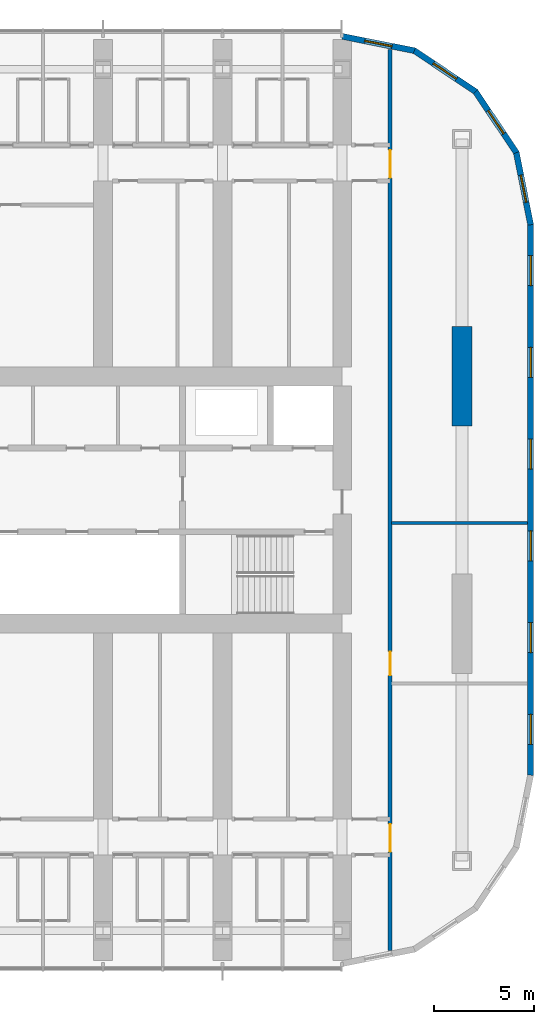
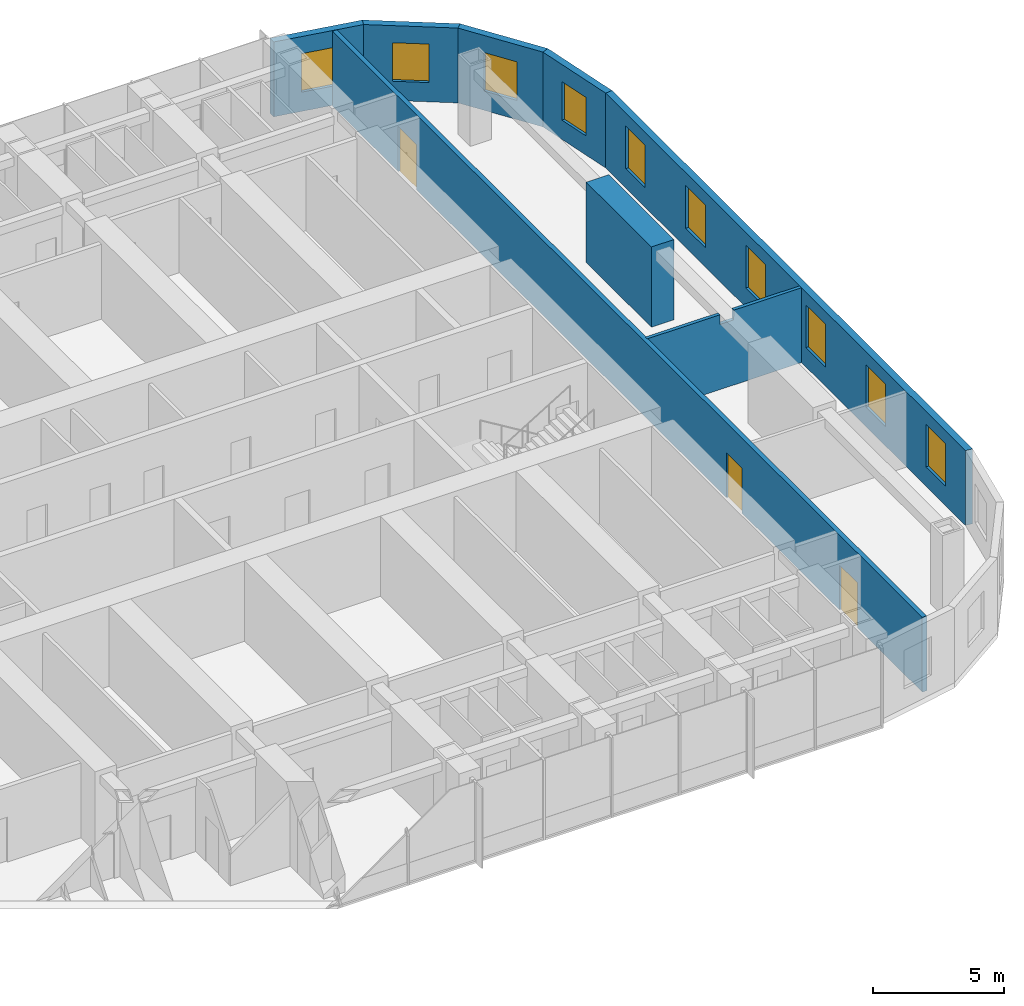
# One storey, part 17 of 22: 10 windows, 8 walls, 3 doors, 13 openings.
"""IFC4 building model written with IfcOpenShell, lengths in metres."""

from ifc_helpers import new_model, si_unit, direction, frame, frame_2d, origin, place, context, subcontext, project, spatial, polyline, rectangle, outline, extrude, material, layer, layer_set, type_object, element, fill, save


model = new_model("IFC4")

# Units and contexts
model_context = context("Model", 3, precision=1e-05, world=origin(), true_north=direction((0.0, 1.0)))
body_context = subcontext(model_context, "Body", "Model", "MODEL_VIEW")
ifc_project = project(units=[si_unit("LENGTHUNIT", "METRE"), si_unit("AREAUNIT", "SQUARE_METRE"), si_unit("VOLUMEUNIT", "CUBIC_METRE"), si_unit("PLANEANGLEUNIT", "RADIAN"), si_unit("MASSUNIT", "GRAM", prefix="KILO")], contexts=[model_context])

# Site, building, storey
site_placement = place(None, origin())
site = spatial("IfcSite", under=ifc_project, at=site_placement, CompositionType="ELEMENT")
building_placement = place(site_placement, origin())
building = spatial("IfcBuilding", under=site, at=building_placement, Name="Orbita Commons", CompositionType="ELEMENT")
storey_placement = place(building_placement, frame((0.0, 0.0, 118.14990234375)))
storey = spatial("IfcBuildingStorey", under=building, at=storey_placement, Name="L29", CompositionType="ELEMENT", Elevation=118.14990234375)

# Wall, openings, doors
ifc_material_1 = material(Name="Concrete blockwork", Category="masonry")
ifc_layer_1 = layer(ifc_material_1, 0.199951171875)
ifc_layer_set_1 = layer_set([ifc_layer_1], Name="Concrete blockwork")
wall_type_1 = type_object("IfcWallType", Name="Corridor wall 200 blockwork", PredefinedType="SOLIDWALL", material=ifc_layer_set_1)
wall_1_placement = place(storey_placement, frame((68.39990234375, 9.4052734375, 0.0), z_axis=(0.0, 0.0, 1.0), x_axis=(0.0, 1.0, 0.0)))
wall_1 = element("IfcWall", 1, at=wall_1_placement, inside=storey, type_object=wall_type_1, Name="Corridor wall 200 blockwork L29", PredefinedType="SOLIDWALL", context=body_context, shape_type="SweptSolid", body=[
    extrude(rectangle(XDim=45.189453125, YDim=0.199951171875, at=frame_2d((22.5947265625, 0.0))), origin(), (0.0, 0.0, 1.0), 3.5),
])
opening_1_placement = place(wall_1_placement, frame((13.794677734375, 0.0, 0.0)))
opening_1 = element("IfcOpeningElement", 2, at=opening_1_placement, cuts=wall_1, Name="Opening D15", PredefinedType="OPENING", context=body_context, shape_type="SweptSolid", body=[
    extrude(rectangle(XDim=1.199951171875, YDim=2.10009765625, at=frame_2d((0.60009765625, 1.050048828125))), frame((0.0, 0.10986328125, 0.0), z_axis=(0.0, -1.0, 0.0), x_axis=(1.0, 0.0, 0.0)), (0.0, 0.0, 1.0), 0.219970703125),
])
opening_2_placement = place(wall_1_placement, frame((4.94482421875, 0.0, 0.0)))
opening_2 = element("IfcOpeningElement", 3, at=opening_2_placement, cuts=wall_1, Name="Opening D08", PredefinedType="OPENING", context=body_context, shape_type="SweptSolid", body=[
    extrude(rectangle(XDim=1.39990234375, YDim=2.10009765625, at=frame_2d((0.699951171875, 1.050048828125))), frame((0.0, 0.10986328125, 0.0), z_axis=(0.0, -1.0, 0.0), x_axis=(1.0, 0.0, 0.0)), (0.0, 0.0, 1.0), 0.219970703125),
])
opening_3_placement = place(wall_1_placement, frame((38.74462890625, 0.0, 0.0)))
opening_3 = element("IfcOpeningElement", 4, at=opening_3_placement, cuts=wall_1, Name="Opening D08", PredefinedType="OPENING", context=body_context, shape_type="SweptSolid", body=[
    extrude(rectangle(XDim=1.39990234375, YDim=2.10009765625, at=frame_2d((0.699951171875, 1.050048828125))), frame((0.0, 0.10986328125, 0.0), z_axis=(0.0, -1.0, 0.0), x_axis=(1.0, 0.0, 0.0)), (0.0, 0.0, 1.0), 0.219970703125),
])
ifc_material_2 = material(Name="Steel-faced fire door leaf", Category="steel")
door_type_1 = type_object("IfcDoorType", Name="Corridor door 20 min 1200x2100", OperationType="SINGLE_SWING_LEFT", PredefinedType="DOOR", material=ifc_material_2)
door_1_placement = place(opening_1_placement, origin())
door_1 = element("IfcDoor", 5, at=door_1_placement, inside=storey, type_object=door_type_1, Name="Reading room door", OperationType="SINGLE_SWING_LEFT", OverallHeight=2.10009765625, OverallWidth=1.199951171875, PredefinedType="DOOR", context=body_context, shape_type="SweptSolid", body=[
    extrude(rectangle(XDim=1.199951171875, YDim=2.10009765625, at=frame_2d((0.60009765625, 1.050048828125))), frame((0.0, 0.02490234375, 0.0), z_axis=(0.0, -1.0, 0.0), x_axis=(1.0, 0.0, 0.0)), (0.0, 0.0, 1.0), 0.050048828125),
])
fill(opening_1, door_1)
ifc_material_3 = material(Name="Steel-faced fire door leaf", Category="steel")
door_type_2 = type_object("IfcDoorType", Name="Double corridor door 20 min 1400x2100", OperationType="DOUBLE_DOOR_SINGLE_SWING", PredefinedType="DOOR", material=ifc_material_3)
door_2_placement = place(opening_2_placement, origin())
door_2 = element("IfcDoor", 6, at=door_2_placement, inside=storey, type_object=door_type_2, Name="Lounge doors", OperationType="DOUBLE_DOOR_SINGLE_SWING", OverallHeight=2.10009765625, OverallWidth=1.39990234375, PredefinedType="DOOR", context=body_context, shape_type="SweptSolid", body=[
    extrude(rectangle(XDim=1.39990234375, YDim=2.10009765625, at=frame_2d((0.699951171875, 1.050048828125))), frame((0.0, 0.02490234375, 0.0), z_axis=(0.0, -1.0, 0.0), x_axis=(1.0, 0.0, 0.0)), (0.0, 0.0, 1.0), 0.050048828125),
])
fill(opening_2, door_2)
door_3_placement = place(opening_3_placement, origin())
door_3 = element("IfcDoor", 7, at=door_3_placement, inside=storey, type_object=door_type_2, Name="Lounge doors", OperationType="DOUBLE_DOOR_SINGLE_SWING", OverallHeight=2.10009765625, OverallWidth=1.39990234375, PredefinedType="DOOR", context=body_context, shape_type="SweptSolid", body=[
    extrude(rectangle(XDim=1.39990234375, YDim=2.10009765625, at=frame_2d((0.699951171875, 1.050048828125))), frame((0.0, 0.02490234375, 0.0), z_axis=(0.0, -1.0, 0.0), x_axis=(1.0, 0.0, 0.0)), (0.0, 0.0, 1.0), 0.050048828125),
])
fill(opening_3, door_3)

# Walls
ifc_material_4 = material(Name="Concrete C50/60", Category="concrete")
ifc_layer_2 = layer(ifc_material_4, 1.0)
ifc_layer_set_2 = layer_set([ifc_layer_2], Name="Concrete C50/60")
wall_type_2 = type_object("IfcWallType", Name="End pier 1000x5000 C50/60", PredefinedType="SHEAR", material=ifc_layer_set_2)
wall_2_placement = place(storey_placement, frame((72.0, 35.699951171875, 0.0), z_axis=(0.0, 0.0, 1.0), x_axis=(0.0, 1.0, 0.0)))
element("IfcWall", 8, at=wall_2_placement, inside=storey, type_object=wall_type_2, Name="End pier 13/D L29", PredefinedType="SHEAR", context=body_context, shape_type="SweptSolid", body=[
    extrude(rectangle(XDim=5.0, YDim=1.0, at=frame_2d((2.5, 0.0))), origin(), (0.0, 0.0, 1.0), 3.75),
])
ifc_material_5 = material(Name="Gypsum plasterboard on steel studs", Category="steel")
ifc_layer_3 = layer(ifc_material_5, 0.14990234375)
ifc_layer_set_3 = layer_set([ifc_layer_3], Name="Gypsum plasterboard on steel studs")
wall_type_3 = type_object("IfcWallType", Name="Partition 150 plasterboard", PredefinedType="PARTITIONING", material=ifc_layer_set_3)
wall_3_placement = place(storey_placement, frame((68.47509765625, 30.85009765625, 0.0), z_axis=(0.0, 0.0, 1.0), x_axis=(1.0, 0.0, 0.0)))
element("IfcWall", 9, at=wall_3_placement, inside=storey, type_object=wall_type_3, Name="Partition 150 plasterboard L29", PredefinedType="PARTITIONING", context=body_context, shape_type="SweptSolid", body=[
    extrude(outline(polyline([(0.0, 0.0), (6.81982421875, 0.0), (6.820068359375, 3.5), (3.826904296875, 3.5), (3.824951171875, 3.050048828125), (3.22705078125, 3.050048828125), (3.22509765625, 3.5), (0.0, 3.5), (0.0, 0.0)])), frame((0.0, 0.074951171875, 0.0), z_axis=(0.0, -1.0, 0.0), x_axis=(1.0, 0.0, 0.0)), (0.0, 0.0, 1.0), 0.14990234375),
])

# Wall, openings, windows
ifc_material_6 = material(Name="Precast concrete C40/50, white board-marked finish", Category="concrete")
ifc_layer_4 = layer(ifc_material_6, 0.300048828125)
ifc_layer_set_4 = layer_set([ifc_layer_4], Name="Precast concrete C40/50, white board-marked finish")
wall_type_4 = type_object("IfcWallType", Name="Precast concrete end shield 300", PredefinedType="SOLIDWALL", material=ifc_layer_set_4)
wall_4_placement = place(storey_placement, frame((75.449951171875, 18.199951171875, 0.0), z_axis=(0.0, 0.0, 1.0), x_axis=(0.0, 1.0, 0.0)))
wall_4 = element("IfcWall", 10, at=wall_4_placement, inside=storey, type_object=wall_type_4, Name="End shield E L29", PredefinedType="SOLIDWALL", context=body_context, shape_type="SweptSolid", body=[
    extrude(outline(polyline([(-0.014892578125, -0.14990234375), (27.614990234375, -0.14990234375), (27.585205078125, 0.14990234375), (0.014892578125, 0.14990234375), (-0.014892578125, -0.14990234375)])), origin(), (0.0, 0.0, 1.0), 3.5),
])
opening_4_placement = place(wall_4_placement, frame((1.550048828125, 0.0, 0.89990234375)))
opening_4 = element("IfcOpeningElement", 11, at=opening_4_placement, cuts=wall_4, Name="Opening W01", PredefinedType="OPENING", context=body_context, shape_type="SweptSolid", body=[
    extrude(rectangle(XDim=1.5, YDim=2.0, at=frame_2d((0.75, 1.0))), frame((0.0, 0.159912109375, 0.0), z_axis=(0.0, -1.0, 0.0), x_axis=(1.0, 0.0, 0.0)), (0.0, 0.0, 1.0), 0.320068359375),
])
opening_5_placement = place(wall_4_placement, frame((6.14990234375, 0.0, 0.89990234375)))
opening_5 = element("IfcOpeningElement", 12, at=opening_5_placement, cuts=wall_4, Name="Opening W01", PredefinedType="OPENING", context=body_context, shape_type="SweptSolid", body=[
    extrude(rectangle(XDim=1.5, YDim=2.0, at=frame_2d((0.75, 1.0))), frame((0.0, 0.159912109375, 0.0), z_axis=(0.0, -1.0, 0.0), x_axis=(1.0, 0.0, 0.0)), (0.0, 0.0, 1.0), 0.320068359375),
])
opening_6_placement = place(wall_4_placement, frame((10.75, 0.0, 0.89990234375)))
opening_6 = element("IfcOpeningElement", 13, at=opening_6_placement, cuts=wall_4, Name="Opening W01", PredefinedType="OPENING", context=body_context, shape_type="SweptSolid", body=[
    extrude(rectangle(XDim=1.5, YDim=2.0, at=frame_2d((0.75, 1.0))), frame((0.0, 0.159912109375, 0.0), z_axis=(0.0, -1.0, 0.0), x_axis=(1.0, 0.0, 0.0)), (0.0, 0.0, 1.0), 0.320068359375),
])
opening_7_placement = place(wall_4_placement, frame((15.35009765625, 0.0, 0.89990234375)))
opening_7 = element("IfcOpeningElement", 14, at=opening_7_placement, cuts=wall_4, Name="Opening W01", PredefinedType="OPENING", context=body_context, shape_type="SweptSolid", body=[
    extrude(rectangle(XDim=1.5, YDim=2.0, at=frame_2d((0.75, 1.0))), frame((0.0, 0.159912109375, 0.0), z_axis=(0.0, -1.0, 0.0), x_axis=(1.0, 0.0, 0.0)), (0.0, 0.0, 1.0), 0.320068359375),
])
opening_8_placement = place(wall_4_placement, frame((19.949951171875, 0.0, 0.89990234375)))
opening_8 = element("IfcOpeningElement", 15, at=opening_8_placement, cuts=wall_4, Name="Opening W01", PredefinedType="OPENING", context=body_context, shape_type="SweptSolid", body=[
    extrude(rectangle(XDim=1.5, YDim=2.0, at=frame_2d((0.75, 1.0))), frame((0.0, 0.159912109375, 0.0), z_axis=(0.0, -1.0, 0.0), x_axis=(1.0, 0.0, 0.0)), (0.0, 0.0, 1.0), 0.320068359375),
])
opening_9_placement = place(wall_4_placement, frame((24.550048828125, 0.0, 0.89990234375)))
opening_9 = element("IfcOpeningElement", 16, at=opening_9_placement, cuts=wall_4, Name="Opening W01", PredefinedType="OPENING", context=body_context, shape_type="SweptSolid", body=[
    extrude(rectangle(XDim=1.5, YDim=2.0, at=frame_2d((0.75, 1.0))), frame((0.0, 0.159912109375, 0.0), z_axis=(0.0, -1.0, 0.0), x_axis=(1.0, 0.0, 0.0)), (0.0, 0.0, 1.0), 0.320068359375),
])
ifc_material_7 = material(Name="Aluminium frame, clear double glazing", Category="aluminium")
window_type_1 = type_object("IfcWindowType", Name="Deep-set window 1500x2000", PartitioningType="SINGLE_PANEL", PredefinedType="WINDOW", material=ifc_material_7)
window_1_placement = place(opening_4_placement, origin())
window_1 = element("IfcWindow", 17, at=window_1_placement, inside=storey, type_object=window_type_1, Name="Window L29-E 1", OverallHeight=2.0, OverallWidth=1.5, PartitioningType="SINGLE_PANEL", PredefinedType="WINDOW", context=body_context, shape_type="SweptSolid", body=[
    extrude(rectangle(XDim=1.5, YDim=2.0, at=frame_2d((0.75, 1.0))), frame((0.0, 0.030029296875, 0.0), z_axis=(0.0, -1.0, 0.0), x_axis=(1.0, 0.0, 0.0)), (0.0, 0.0, 1.0), 0.06005859375),
])
fill(opening_4, window_1)
window_2_placement = place(opening_5_placement, origin())
window_2 = element("IfcWindow", 18, at=window_2_placement, inside=storey, type_object=window_type_1, Name="Window L29-E 2", OverallHeight=2.0, OverallWidth=1.5, PartitioningType="SINGLE_PANEL", PredefinedType="WINDOW", context=body_context, shape_type="SweptSolid", body=[
    extrude(rectangle(XDim=1.5, YDim=2.0, at=frame_2d((0.75, 1.0))), frame((0.0, 0.030029296875, 0.0), z_axis=(0.0, -1.0, 0.0), x_axis=(1.0, 0.0, 0.0)), (0.0, 0.0, 1.0), 0.06005859375),
])
fill(opening_5, window_2)
window_3_placement = place(opening_6_placement, origin())
window_3 = element("IfcWindow", 19, at=window_3_placement, inside=storey, type_object=window_type_1, Name="Window L29-E 3", OverallHeight=2.0, OverallWidth=1.5, PartitioningType="SINGLE_PANEL", PredefinedType="WINDOW", context=body_context, shape_type="SweptSolid", body=[
    extrude(rectangle(XDim=1.5, YDim=2.0, at=frame_2d((0.75, 1.0))), frame((0.0, 0.030029296875, 0.0), z_axis=(0.0, -1.0, 0.0), x_axis=(1.0, 0.0, 0.0)), (0.0, 0.0, 1.0), 0.06005859375),
])
fill(opening_6, window_3)
window_4_placement = place(opening_7_placement, origin())
window_4 = element("IfcWindow", 20, at=window_4_placement, inside=storey, type_object=window_type_1, Name="Window L29-E 4", OverallHeight=2.0, OverallWidth=1.5, PartitioningType="SINGLE_PANEL", PredefinedType="WINDOW", context=body_context, shape_type="SweptSolid", body=[
    extrude(rectangle(XDim=1.5, YDim=2.0, at=frame_2d((0.75, 1.0))), frame((0.0, 0.030029296875, 0.0), z_axis=(0.0, -1.0, 0.0), x_axis=(1.0, 0.0, 0.0)), (0.0, 0.0, 1.0), 0.06005859375),
])
fill(opening_7, window_4)
window_5_placement = place(opening_8_placement, origin())
window_5 = element("IfcWindow", 21, at=window_5_placement, inside=storey, type_object=window_type_1, Name="Window L29-E 5", OverallHeight=2.0, OverallWidth=1.5, PartitioningType="SINGLE_PANEL", PredefinedType="WINDOW", context=body_context, shape_type="SweptSolid", body=[
    extrude(rectangle(XDim=1.5, YDim=2.0, at=frame_2d((0.75, 1.0))), frame((0.0, 0.030029296875, 0.0), z_axis=(0.0, -1.0, 0.0), x_axis=(1.0, 0.0, 0.0)), (0.0, 0.0, 1.0), 0.06005859375),
])
fill(opening_8, window_5)
window_6_placement = place(opening_9_placement, origin())
window_6 = element("IfcWindow", 22, at=window_6_placement, inside=storey, type_object=window_type_1, Name="Window L29-E 6", OverallHeight=2.0, OverallWidth=1.5, PartitioningType="SINGLE_PANEL", PredefinedType="WINDOW", context=body_context, shape_type="SweptSolid", body=[
    extrude(rectangle(XDim=1.5, YDim=2.0, at=frame_2d((0.75, 1.0))), frame((0.0, 0.030029296875, 0.0), z_axis=(0.0, -1.0, 0.0), x_axis=(1.0, 0.0, 0.0)), (0.0, 0.0, 1.0), 0.06005859375),
])
fill(opening_9, window_6)

# Wall, opening, window
wall_5_placement = place(storey_placement, frame((75.449951171875, 45.800048828125, 0.0), z_axis=(0.0, 0.0, 1.0), x_axis=(-0.195059183267, 0.980791473772, 0.0)))
wall_5 = element("IfcWall", 23, at=wall_5_placement, inside=storey, type_object=wall_type_4, Name="End shield NE chord 1 L29", PredefinedType="SOLIDWALL", context=body_context, shape_type="SweptSolid", body=[
    extrude(outline(polyline([(-0.014892578125, -0.14990234375), (3.717041015625, -0.14990234375), (3.657470703125, 0.14990234375), (0.014892578125, 0.14990234375), (-0.014892578125, -0.14990234375)])), origin(), (0.0, 0.0, 1.0), 3.5),
])
opening_10_placement = place(wall_5_placement, frame((1.1435546875, 0.0, 0.89990234375)))
opening_10 = element("IfcOpeningElement", 24, at=opening_10_placement, cuts=wall_5, Name="Opening W02", PredefinedType="OPENING", context=body_context, shape_type="SweptSolid", body=[
    extrude(rectangle(XDim=1.39990234375, YDim=1.800048828125, at=frame_2d((0.699951171875, 0.89990234375))), frame((0.0, 0.159912109375, 0.0), z_axis=(0.0, -1.0, 0.0), x_axis=(1.0, 0.0, 0.0)), (0.0, 0.0, 1.0), 0.320068359375),
])
ifc_material_8 = material(Name="Aluminium frame, clear double glazing", Category="aluminium")
window_type_2 = type_object("IfcWindowType", Name="Deep-set window 1400x1800", PartitioningType="SINGLE_PANEL", PredefinedType="WINDOW", material=ifc_material_8)
window_7_placement = place(opening_10_placement, origin())
window_7 = element("IfcWindow", 25, at=window_7_placement, inside=storey, type_object=window_type_2, Name="Window L29-NE0", OverallHeight=1.800048828125, OverallWidth=1.39990234375, PartitioningType="SINGLE_PANEL", PredefinedType="WINDOW", context=body_context, shape_type="SweptSolid", body=[
    extrude(rectangle(XDim=1.39990234375, YDim=1.800048828125, at=frame_2d((0.699951171875, 0.89990234375))), frame((0.0, 0.030029296875, 0.0), z_axis=(0.0, -1.0, 0.0), x_axis=(1.0, 0.0, 0.0)), (0.0, 0.0, 1.0), 0.06005859375),
])
fill(opening_10, window_7)

wall_6_placement = place(storey_placement, frame((74.730712890625, 49.41650390625, 0.0), z_axis=(0.0, 0.0, 1.0), x_axis=(-0.555601399253, 0.831448786846, 0.0)))
wall_6 = element("IfcWall", 26, at=wall_6_placement, inside=storey, type_object=wall_type_4, Name="End shield NE chord 2 L29", PredefinedType="SOLIDWALL", context=body_context, shape_type="SweptSolid", body=[
    extrude(outline(polyline([(-0.02978515625, -0.14990234375), (3.717041015625, -0.14990234375), (3.657470703125, 0.14990234375), (0.02978515625, 0.14990234375), (-0.02978515625, -0.14990234375)])), origin(), (0.0, 0.0, 1.0), 3.5),
])
opening_11_placement = place(wall_6_placement, frame((1.1435546875, 0.0, 0.89990234375)))
opening_11 = element("IfcOpeningElement", 27, at=opening_11_placement, cuts=wall_6, Name="Opening W02", PredefinedType="OPENING", context=body_context, shape_type="SweptSolid", body=[
    extrude(rectangle(XDim=1.39990234375, YDim=1.800048828125, at=frame_2d((0.699951171875, 0.89990234375))), frame((0.0, 0.159912109375, 0.0), z_axis=(0.0, -1.0, 0.0), x_axis=(1.0, 0.0, 0.0)), (0.0, 0.0, 1.0), 0.320068359375),
])
window_8_placement = place(opening_11_placement, origin())
window_8 = element("IfcWindow", 28, at=window_8_placement, inside=storey, type_object=window_type_2, Name="Window L29-NE1", OverallHeight=1.800048828125, OverallWidth=1.39990234375, PartitioningType="SINGLE_PANEL", PredefinedType="WINDOW", context=body_context, shape_type="SweptSolid", body=[
    extrude(rectangle(XDim=1.39990234375, YDim=1.800048828125, at=frame_2d((0.699951171875, 0.89990234375))), frame((0.0, 0.030029296875, 0.0), z_axis=(0.0, -1.0, 0.0), x_axis=(1.0, 0.0, 0.0)), (0.0, 0.0, 1.0), 0.06005859375),
])
fill(opening_11, window_8)

wall_7_placement = place(storey_placement, frame((72.68212890625, 52.482177734375, 0.0), z_axis=(0.0, 0.0, 1.0), x_axis=(-0.831448786846, 0.555601399253, 0.0)))
wall_7 = element("IfcWall", 29, at=wall_7_placement, inside=storey, type_object=wall_type_4, Name="End shield NE chord 3 L29", PredefinedType="SOLIDWALL", context=body_context, shape_type="SweptSolid", body=[
    extrude(outline(polyline([(-0.02978515625, -0.14990234375), (3.717041015625, -0.14990234375), (3.657470703125, 0.14990234375), (0.02978515625, 0.14990234375), (-0.02978515625, -0.14990234375)])), origin(), (0.0, 0.0, 1.0), 3.5),
])
opening_12_placement = place(wall_7_placement, frame((1.1435546875, 0.0, 0.89990234375)))
opening_12 = element("IfcOpeningElement", 30, at=opening_12_placement, cuts=wall_7, Name="Opening W02", PredefinedType="OPENING", context=body_context, shape_type="SweptSolid", body=[
    extrude(rectangle(XDim=1.39990234375, YDim=1.800048828125, at=frame_2d((0.699951171875, 0.89990234375))), frame((0.0, 0.159912109375, 0.0), z_axis=(0.0, -1.0, 0.0), x_axis=(1.0, 0.0, 0.0)), (0.0, 0.0, 1.0), 0.320068359375),
])
window_9_placement = place(opening_12_placement, origin())
window_9 = element("IfcWindow", 31, at=window_9_placement, inside=storey, type_object=window_type_2, Name="Window L29-NE2", OverallHeight=1.800048828125, OverallWidth=1.39990234375, PartitioningType="SINGLE_PANEL", PredefinedType="WINDOW", context=body_context, shape_type="SweptSolid", body=[
    extrude(rectangle(XDim=1.39990234375, YDim=1.800048828125, at=frame_2d((0.699951171875, 0.89990234375))), frame((0.0, 0.030029296875, 0.0), z_axis=(0.0, -1.0, 0.0), x_axis=(1.0, 0.0, 0.0)), (0.0, 0.0, 1.0), 0.06005859375),
])
fill(opening_12, window_9)

wall_8_placement = place(storey_placement, frame((69.616455078125, 54.53076171875, 0.0), z_axis=(0.0, 0.0, 1.0), x_axis=(-0.980791473772, 0.195059183267, 0.0)))
wall_8 = element("IfcWall", 32, at=wall_8_placement, inside=storey, type_object=wall_type_4, Name="End shield NE chord 4 L29", PredefinedType="SOLIDWALL", context=body_context, shape_type="SweptSolid", body=[
    extrude(outline(polyline([(-0.02978515625, -0.14990234375), (3.717041015625, -0.14990234375), (3.657470703125, 0.14990234375), (0.02978515625, 0.14990234375), (-0.02978515625, -0.14990234375)])), origin(), (0.0, 0.0, 1.0), 3.5),
])
opening_13_placement = place(wall_8_placement, frame((1.1435546875, 0.0, 0.89990234375)))
opening_13 = element("IfcOpeningElement", 33, at=opening_13_placement, cuts=wall_8, Name="Opening W02", PredefinedType="OPENING", context=body_context, shape_type="SweptSolid", body=[
    extrude(rectangle(XDim=1.39990234375, YDim=1.800048828125, at=frame_2d((0.699951171875, 0.89990234375))), frame((0.0, 0.159912109375, 0.0), z_axis=(0.0, -1.0, 0.0), x_axis=(1.0, 0.0, 0.0)), (0.0, 0.0, 1.0), 0.320068359375),
])
window_10_placement = place(opening_13_placement, origin())
window_10 = element("IfcWindow", 34, at=window_10_placement, inside=storey, type_object=window_type_2, Name="Window L29-NE3", OverallHeight=1.800048828125, OverallWidth=1.39990234375, PartitioningType="SINGLE_PANEL", PredefinedType="WINDOW", context=body_context, shape_type="SweptSolid", body=[
    extrude(rectangle(XDim=1.39990234375, YDim=1.800048828125, at=frame_2d((0.699951171875, 0.89990234375))), frame((0.0, 0.030029296875, 0.0), z_axis=(0.0, -1.0, 0.0), x_axis=(1.0, 0.0, 0.0)), (0.0, 0.0, 1.0), 0.06005859375),
])
fill(opening_13, window_10)

save(model, "model.ifc")
